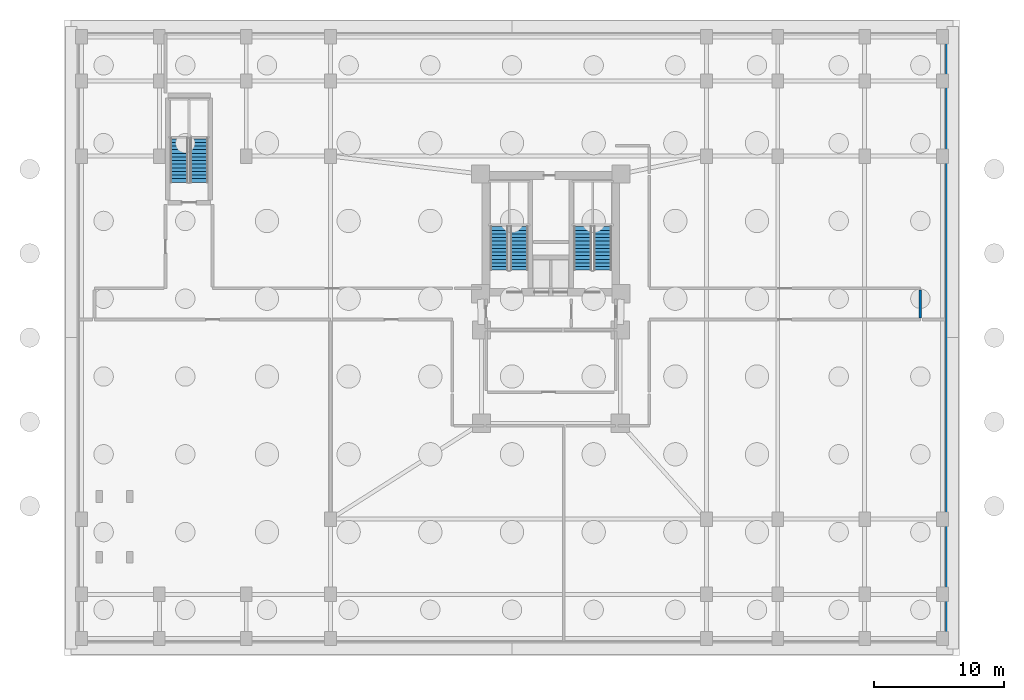
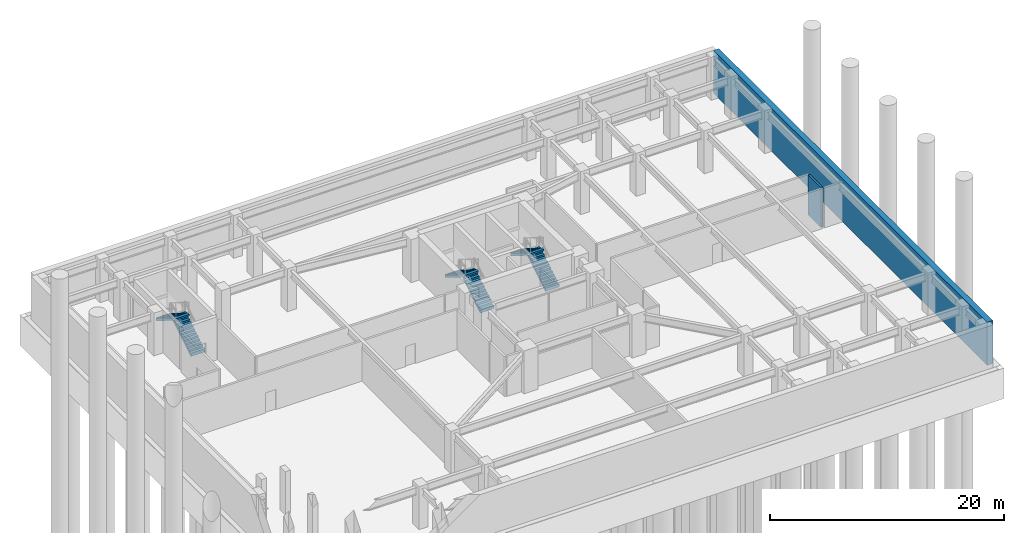
# One storey, part 5 of 7: 6 stair flights, 2 walls, 3 elements without a shape of their own.
"""IFC4 building model written with IfcOpenShell, lengths in metres."""

import ifcopenshell
import ifcopenshell.guid

model = None  # the IFC model being written
_history = None  # IfcOwnerHistory: only IFC2X3 demands one
_inside = {}  # id of a spatial element -> (the spatial element, [elements in it])
_under = {}  # id of a project, library or spatial element -> (it, [spatial elements below it])
_declared = {}  # id of a project -> (the project, [libraries it declares])
_typed = {}  # id of a type object -> (the type object, [elements of that type])
_made_of = {}  # id of a material, layer set ... -> (it, [elements and type objects made of it])


def new_model(schema):
    """Start an empty IFC model of exactly this schema.

    Asked for "IFC4X3", IfcOpenShell would pick the latest addendum, in which some entities
    have other attributes; the version numbers below select the first issue.
    IFC2X3 requires an IfcOwnerHistory on every rooted entity: one is made here for all.
    """
    global model, _history
    if schema == "IFC4X3":
        model = ifcopenshell.file(schema_version=(4, 3, 0, 0))
    else:
        model = ifcopenshell.file(schema=schema)
    _inside.clear()
    _under.clear()
    _declared.clear()
    _typed.clear()
    _made_of.clear()
    _history = None
    if model.schema == "IFC2X3":
        org = make("IfcOrganization", Name="unknown")
        user = make(
            "IfcPersonAndOrganization",
            ThePerson=make("IfcPerson", FamilyName="unknown"),
            TheOrganization=org,
        )
        app = make(
            "IfcApplication",
            ApplicationDeveloper=org,
            Version="unknown",
            ApplicationFullName="unknown",
            ApplicationIdentifier="unknown",
        )
        _history = make(
            "IfcOwnerHistory",
            OwningUser=user,
            OwningApplication=app,
            ChangeAction="ADDED",
            CreationDate=0,
        )
    return model


def make(cls, **values):
    """One entity of the class cls with the attributes given. An attribute that is None is left unset."""
    return model.create_entity(
        cls, **{name: value for name, value in values.items() if value is not None}
    )


def rooted(cls, **values):
    """An entity with a GlobalId (a new one), such as an element, a storey or a relation."""
    return make(cls, GlobalId=ifcopenshell.guid.new(), OwnerHistory=_history, **values)


def si_unit(unit_type, name, prefix=None):
    """IfcSIUnit, for example si_unit("LENGTHUNIT", "METRE", prefix="MILLI")."""
    return make("IfcSIUnit", UnitType=unit_type, Prefix=prefix, Name=name)


def assignment(units):
    """IfcUnitAssignment: the units of a project."""
    return None if units is None else make("IfcUnitAssignment", Units=units)


def point(xyz):
    """IfcCartesianPoint."""
    return None if xyz is None else make("IfcCartesianPoint", Coordinates=xyz)


def direction(xyz):
    """IfcDirection."""
    return None if xyz is None else make("IfcDirection", DirectionRatios=xyz)


def frame(location, z_axis=None, x_axis=None):
    """IfcAxis2Placement3D, a coordinate frame: its origin and axes. An axis left out is left unset."""
    return make(
        "IfcAxis2Placement3D",
        Location=point(location),
        Axis=direction(z_axis),
        RefDirection=direction(x_axis),
    )


def frame_2d(location, x_axis=None):
    """IfcAxis2Placement2D, a coordinate frame in the plane: its origin and x axis."""
    return make(
        "IfcAxis2Placement2D", Location=point(location), RefDirection=direction(x_axis)
    )


def origin():
    """The frame at (0, 0, 0) with its axes left unset."""
    return frame((0.0, 0.0, 0.0))


def place(relative_to, where):
    """IfcLocalPlacement: puts the frame where relative to a parent placement (None: the world)."""
    return make(
        "IfcLocalPlacement", PlacementRelTo=relative_to, RelativePlacement=where
    )


def context(
    kind, dimensions, precision=None, world=None, true_north=None, identifier=None
):
    """IfcGeometricRepresentationContext, for example the 3D "Model" context."""
    return make(
        "IfcGeometricRepresentationContext",
        ContextIdentifier=identifier,
        ContextType=kind,
        CoordinateSpaceDimension=dimensions,
        Precision=precision,
        WorldCoordinateSystem=world,
        TrueNorth=true_north,
    )


def subcontext(parent, identifier, kind, view, scale=None):
    """IfcGeometricRepresentationSubContext, for example "Body" below "Model"."""
    return make(
        "IfcGeometricRepresentationSubContext",
        ContextIdentifier=identifier,
        ContextType=kind,
        ParentContext=parent,
        TargetScale=scale,
        TargetView=view,
    )


def project(units=None, contexts=None):
    """IfcProject with its units and contexts."""
    return rooted(
        "IfcProject",
        Name="project",
        RepresentationContexts=contexts,
        UnitsInContext=assignment(units),
    )


def spatial(cls, under=None, at=None, **own):
    """A site, building, storey or space (cls), placed at a placement, below another one or the project."""
    s = rooted(cls, ObjectPlacement=at, **own)
    if under is not None:
        _under.setdefault(under.id(), (under, []))[1].append(s)
    return s


def polyline(points):
    """IfcPolyline through the points."""
    return make("IfcPolyline", Points=[point(p) for p in points])


def profile(cls, at=None, kind="AREA", **sizes):
    """A parametric profile (cls). Its sizes go by their IFC names, for example OverallWidth=200.0."""
    return make(cls, ProfileType=kind, Position=at, **sizes)


def rectangle(**sizes):
    """IfcRectangleProfileDef."""
    return profile("IfcRectangleProfileDef", **sizes)


def outline(outer, holes=None, kind="AREA"):
    """IfcArbitraryClosedProfileDef: a profile drawn as a closed curve; with holes, ...WithVoids."""
    if holes is None:
        return make("IfcArbitraryClosedProfileDef", ProfileType=kind, OuterCurve=outer)
    return make(
        "IfcArbitraryProfileDefWithVoids",
        ProfileType=kind,
        OuterCurve=outer,
        InnerCurves=holes,
    )


def extrude(swept, where, along, depth):
    """IfcExtrudedAreaSolid: the profile swept, set in the frame where, extruded along a direction by depth."""
    return make(
        "IfcExtrudedAreaSolid",
        SweptArea=swept,
        Position=where,
        ExtrudedDirection=direction(along),
        Depth=depth,
    )


def shape(context_of_items, identifier, shape_type, items):
    """IfcShapeRepresentation: the items that make up one representation, for example the "Body"."""
    return make(
        "IfcShapeRepresentation",
        ContextOfItems=context_of_items,
        RepresentationIdentifier=identifier,
        RepresentationType=shape_type,
        Items=items,
    )


def material(Name=None, Category=None):
    """IfcMaterial."""
    return make("IfcMaterial", Name=Name, Category=Category)


def layer(
    of_material, thickness, ventilated=None, Name=None, Category=None, Priority=None
):
    """IfcMaterialLayer: one layer of a wall or slab, of a material (None: an air gap)."""
    return make(
        "IfcMaterialLayer",
        Material=of_material,
        LayerThickness=thickness,
        IsVentilated=ventilated,
        Name=Name,
        Category=Category,
        Priority=Priority,
    )


def layer_set(layers, Name=None):
    """IfcMaterialLayerSet."""
    return make("IfcMaterialLayerSet", MaterialLayers=layers, LayerSetName=Name)


def made_of(thing, what):
    """Note that an element or type object is made of a material, layer set ...; save() writes the relation."""
    if what is not None:
        _made_of.setdefault(what.id(), (what, []))[1].append(thing)
    return thing


def type_object(cls, material=None, **own):
    """A type object (cls), such as IfcWallType, which elements share."""
    return made_of(rooted(cls, **own), material)


def element(
    cls,
    number,
    at=None,
    inside=None,
    cuts=None,
    type_object=None,
    material=None,
    context=None,
    identifier="Body",
    shape_type=None,
    held_by="IfcProductDefinitionShape",
    body=None,
    shapes=None,
    **own,
):
    """One element of the class cls, such as IfcWall. Its Tag is "e" and its number.

    at: its placement. inside: the storey or other place that contains it. cuts: it is an
    opening in that element (IfcRelVoidsElement). A single representation is given by context,
    identifier, shape_type and body (its items); several are given by shapes. held_by: the class
    of the entity that holds the representations. save() writes the other relations.
    """
    e = rooted(cls, Tag="e%d" % number, ObjectPlacement=at, **own)
    if body is not None:
        shapes = [shape(context, identifier, shape_type, body)]
    if shapes is not None:
        e.Representation = make(held_by, Representations=shapes)
    if inside is not None:
        _inside.setdefault(inside.id(), (inside, []))[1].append(e)
    if cuts is not None:
        rooted(
            "IfcRelVoidsElement", RelatingBuildingElement=cuts, RelatedOpeningElement=e
        )
    if type_object is not None:
        _typed.setdefault(type_object.id(), (type_object, []))[1].append(e)
    return made_of(e, material)


def aggregate(whole, parts):
    """IfcRelAggregates: a whole, such as a stair, and the parts it consists of."""
    return rooted("IfcRelAggregates", RelatingObject=whole, RelatedObjects=parts)


def save(model, path):
    """Write the relations noted so far, then the file.

    IfcRelAggregates (storeys below a building ...), IfcRelContainedInSpatialStructure (elements
    in a storey), IfcRelDefinesByType, IfcRelAssociatesMaterial and IfcRelDeclares: one each for
    every whole, place, type object, material and project.
    """
    for whole, parts in _under.values():
        aggregate(whole, parts)
    for where, things in _inside.values():
        rooted(
            "IfcRelContainedInSpatialStructure",
            RelatedElements=things,
            RelatingStructure=where,
        )
    for kind, things in _typed.values():
        rooted("IfcRelDefinesByType", RelatedObjects=things, RelatingType=kind)
    for what, things in _made_of.values():
        rooted("IfcRelAssociatesMaterial", RelatedObjects=things, RelatingMaterial=what)
    for by, libraries in _declared.values():
        rooted("IfcRelDeclares", RelatingContext=by, RelatedDefinitions=libraries)
    model.write(path)


model = new_model("IFC4")

# Units and contexts
model_context = context("Model", 3, precision=1e-05, world=origin(), true_north=direction((0.0, 1.0)))
body_context = subcontext(model_context, "Body", "Model", "MODEL_VIEW")
ifc_project = project(units=[si_unit("LENGTHUNIT", "METRE"), si_unit("AREAUNIT", "SQUARE_METRE"), si_unit("VOLUMEUNIT", "CUBIC_METRE"), si_unit("PLANEANGLEUNIT", "RADIAN"), si_unit("MASSUNIT", "GRAM", prefix="KILO")], contexts=[model_context])

# Site, building, storey
site_placement = place(None, origin())
site = spatial("IfcSite", under=ifc_project, at=site_placement, CompositionType="ELEMENT")
building_placement = place(site_placement, origin())
building = spatial("IfcBuilding", under=site, at=building_placement, Name="Varnakorn Sky Granary", CompositionType="ELEMENT")
storey_placement = place(building_placement, frame((0.0, 0.0, -13.5)))
storey = spatial("IfcBuildingStorey", under=building, at=storey_placement, Name="B03", CompositionType="ELEMENT", Elevation=-13.5)

# Walls
ifc_material_1 = material(Name="Autoclaved Aerated Concrete Blockwork", Category="masonry")
ifc_layer_1 = layer(ifc_material_1, 0.199951171875, Name="Autoclaved Aerated Concrete Blockwork")
ifc_layer_set_1 = layer_set([ifc_layer_1], Name="Autoclaved Aerated Concrete Blockwork")
wall_type_1 = type_object("IfcWallType", Name="WT-FIRE-200", PredefinedType="MOVABLE", material=ifc_layer_set_1)
wall_1_placement = place(storey_placement, frame((31.5, 1.510009765625, 0.0), z_axis=(0.0, 0.0, 1.0), x_axis=(0.0, 1.0, 0.0)))
element("IfcWall", 1, at=wall_1_placement, inside=storey, type_object=wall_type_1, Name="Interior Partition Wall B03-031", PredefinedType="MOVABLE", context=body_context, shape_type="SweptSolid", body=[
    extrude(rectangle(XDim=2.179931640625, YDim=0.199951171875, at=frame_2d((1.08984375, 0.0))), origin(), (0.0, 0.0, 1.0), 4.179931640625),
])
ifc_material_2 = material(Name="Concrete C50/60", Category="concrete")
ifc_layer_2 = layer(ifc_material_2, 0.550048828125, Name="Concrete C50/60")
ifc_layer_set_2 = layer_set([ifc_layer_2], Name="Concrete C50/60")
wall_type_2 = type_object("IfcWallType", Name="WT-RW-BSMT-550", PredefinedType="SOLIDWALL", material=ifc_layer_set_2)
wall_2_placement = place(storey_placement, frame((33.72509765625, -23.43994140625, 0.0), z_axis=(0.0, 0.0, 1.0), x_axis=(0.0, 1.0, 0.0)))
element("IfcWall", 2, at=wall_2_placement, inside=storey, type_object=wall_type_2, Name="Basement Perimeter Retaining Wall B03-E", PredefinedType="SOLIDWALL", context=body_context, shape_type="SweptSolid", body=[
    extrude(rectangle(XDim=46.8798828125, YDim=0.550048828125, at=frame_2d((23.43994140625, 0.0))), origin(), (0.0, 0.0, 1.0), 4.491943359375),
])

# Stair, stair flights
ifc_material_3 = material(Name="Concrete C40/50", Category="concrete")
stair_type = type_object("IfcStairType", Name="ST-MAIN-ASSEMBLY", PredefinedType="HALF_TURN_STAIR", material=ifc_material_3)
stair_1_placement = place(storey_placement, origin())
stair_1 = element("IfcStair", 3, at=stair_1_placement, inside=storey, type_object=stair_type, Name="B03 Protected Exit Stair ST-1", PredefinedType="HALF_TURN_STAIR")
stair_flight_type = type_object("IfcStairFlightType", Name="ST-MAIN-FLIGHT", PredefinedType="STRAIGHT", material=ifc_material_3)
stair_flight_1_placement = place(storey_placement, frame((0.550048828125, 5.199951171875, 0.0), z_axis=(0.0, 0.0, 1.0), x_axis=(0.0, 1.0, 0.0)))
stair_flight_1 = element("IfcStairFlight", 4, at=stair_flight_1_placement, type_object=stair_flight_type, Name="ST-1 flight 1", NumberOfRisers=13, NumberOfTreads=12, PredefinedType="STRAIGHT", RiserHeight=0.173076923, TreadLength=0.28, context=body_context, shape_type="SweptSolid", body=[
    extrude(outline(polyline([(0.0, -0.14990234375), (0.0, 0.0), (0.0, 0.173095703125), (0.280029296875, 0.173095703125), (0.280029296875, 0.34619140625), (0.56005859375, 0.34619140625), (0.56005859375, 0.519287109375), (0.840087890625, 0.519287109375), (0.840087890625, 0.6923828125), (1.1201171875, 0.6923828125), (1.1201171875, 0.865478515625), (1.39990234375, 0.865478515625), (1.39990234375, 1.03857421875), (1.679931640625, 1.03857421875), (1.679931640625, 1.21142578125), (1.9599609375, 1.21142578125), (1.9599609375, 1.384521484375), (2.239990234375, 1.384521484375), (2.239990234375, 1.5576171875), (2.52001953125, 1.5576171875), (2.52001953125, 1.730712890625), (2.800048828125, 1.730712890625), (2.800048828125, 1.90380859375), (3.080078125, 1.90380859375), (3.080078125, 2.076904296875), (3.360107421875, 2.076904296875), (3.360107421875, 2.25), (3.360107421875, 1.900634765625), (0.050048828125, -0.14990234375), (0.0, -0.14990234375)])), frame((0.0, 0.68994140625, 0.0), z_axis=(0.0, -1.0, 0.0), x_axis=(1.0, 0.0, 0.0)), (0.0, 0.0, 1.0), 1.3798828125),
])
stair_flight_2_placement = place(storey_placement, frame((-0.97998046875, 8.56005859375, 2.25), z_axis=(0.0, 0.0, 1.0), x_axis=(0.0, -1.0, 0.0)))
stair_flight_2 = element("IfcStairFlight", 5, at=stair_flight_2_placement, type_object=stair_flight_type, Name="ST-1 flight 2", NumberOfRisers=13, NumberOfTreads=12, PredefinedType="STRAIGHT", RiserHeight=0.173076923, TreadLength=0.28, context=body_context, shape_type="SweptSolid", body=[
    extrude(outline(polyline([(0.0, -0.14990234375), (0.0, 0.0), (0.0, 0.173095703125), (0.280029296875, 0.173095703125), (0.280029296875, 0.34619140625), (0.56005859375, 0.34619140625), (0.56005859375, 0.519287109375), (0.840087890625, 0.519287109375), (0.840087890625, 0.6923828125), (1.1201171875, 0.6923828125), (1.1201171875, 0.865478515625), (1.39990234375, 0.865478515625), (1.39990234375, 1.03857421875), (1.679931640625, 1.03857421875), (1.679931640625, 1.21142578125), (1.9599609375, 1.21142578125), (1.9599609375, 1.384521484375), (2.239990234375, 1.384521484375), (2.239990234375, 1.5576171875), (2.52001953125, 1.5576171875), (2.52001953125, 1.730712890625), (2.800048828125, 1.730712890625), (2.800048828125, 1.90380859375), (3.080078125, 1.90380859375), (3.080078125, 2.076904296875), (3.360107421875, 2.076904296875), (3.360107421875, 2.25), (3.360107421875, 1.900634765625), (0.050048828125, -0.14990234375), (0.0, -0.14990234375)])), frame((0.0, 0.68994140625, 0.0), z_axis=(0.0, -1.0, 0.0), x_axis=(1.0, 0.0, 0.0)), (0.0, 0.0, 1.0), 1.3798828125),
])
aggregate(stair_1, [stair_flight_1, stair_flight_2])

stair_2_placement = place(storey_placement, origin())
stair_2 = element("IfcStair", 6, at=stair_2_placement, inside=storey, type_object=stair_type, Name="B03 Protected Exit Stair ST-2", PredefinedType="HALF_TURN_STAIR")
stair_flight_3_placement = place(storey_placement, frame((6.989990234375, 5.199951171875, 0.0), z_axis=(0.0, 0.0, 1.0), x_axis=(0.0, 1.0, 0.0)))
stair_flight_3 = element("IfcStairFlight", 7, at=stair_flight_3_placement, type_object=stair_flight_type, Name="ST-2 flight 1", NumberOfRisers=13, NumberOfTreads=12, PredefinedType="STRAIGHT", RiserHeight=0.173076923, TreadLength=0.28, context=body_context, shape_type="SweptSolid", body=[
    extrude(outline(polyline([(0.0, -0.14990234375), (0.0, 0.0), (0.0, 0.173095703125), (0.280029296875, 0.173095703125), (0.280029296875, 0.34619140625), (0.56005859375, 0.34619140625), (0.56005859375, 0.519287109375), (0.840087890625, 0.519287109375), (0.840087890625, 0.6923828125), (1.1201171875, 0.6923828125), (1.1201171875, 0.865478515625), (1.39990234375, 0.865478515625), (1.39990234375, 1.03857421875), (1.679931640625, 1.03857421875), (1.679931640625, 1.21142578125), (1.9599609375, 1.21142578125), (1.9599609375, 1.384521484375), (2.239990234375, 1.384521484375), (2.239990234375, 1.5576171875), (2.52001953125, 1.5576171875), (2.52001953125, 1.730712890625), (2.800048828125, 1.730712890625), (2.800048828125, 1.90380859375), (3.080078125, 1.90380859375), (3.080078125, 2.076904296875), (3.360107421875, 2.076904296875), (3.360107421875, 2.25), (3.360107421875, 1.900634765625), (0.050048828125, -0.14990234375), (0.0, -0.14990234375)])), frame((0.0, 0.68994140625, 0.0), z_axis=(0.0, -1.0, 0.0), x_axis=(1.0, 0.0, 0.0)), (0.0, 0.0, 1.0), 1.3798828125),
])
stair_flight_4_placement = place(storey_placement, frame((5.4599609375, 8.56005859375, 2.25), z_axis=(0.0, 0.0, 1.0), x_axis=(0.0, -1.0, 0.0)))
stair_flight_4 = element("IfcStairFlight", 8, at=stair_flight_4_placement, type_object=stair_flight_type, Name="ST-2 flight 2", NumberOfRisers=13, NumberOfTreads=12, PredefinedType="STRAIGHT", RiserHeight=0.173076923, TreadLength=0.28, context=body_context, shape_type="SweptSolid", body=[
    extrude(outline(polyline([(0.0, -0.14990234375), (0.0, 0.0), (0.0, 0.173095703125), (0.280029296875, 0.173095703125), (0.280029296875, 0.34619140625), (0.56005859375, 0.34619140625), (0.56005859375, 0.519287109375), (0.840087890625, 0.519287109375), (0.840087890625, 0.6923828125), (1.1201171875, 0.6923828125), (1.1201171875, 0.865478515625), (1.39990234375, 0.865478515625), (1.39990234375, 1.03857421875), (1.679931640625, 1.03857421875), (1.679931640625, 1.21142578125), (1.9599609375, 1.21142578125), (1.9599609375, 1.384521484375), (2.239990234375, 1.384521484375), (2.239990234375, 1.5576171875), (2.52001953125, 1.5576171875), (2.52001953125, 1.730712890625), (2.800048828125, 1.730712890625), (2.800048828125, 1.90380859375), (3.080078125, 1.90380859375), (3.080078125, 2.076904296875), (3.360107421875, 2.076904296875), (3.360107421875, 2.25), (3.360107421875, 1.900634765625), (0.050048828125, -0.14990234375), (0.0, -0.14990234375)])), frame((0.0, 0.68994140625, 0.0), z_axis=(0.0, -1.0, 0.0), x_axis=(1.0, 0.0, 0.0)), (0.0, 0.0, 1.0), 1.3798828125),
])
aggregate(stair_2, [stair_flight_3, stair_flight_4])

stair_3_placement = place(storey_placement, origin())
stair_3 = element("IfcStair", 9, at=stair_3_placement, inside=storey, type_object=stair_type, Name="B03 Podium and Basement Protected Exit Stair ST-B3", PredefinedType="HALF_TURN_STAIR")
stair_flight_5_placement = place(storey_placement, frame((-24.139892578125, 11.97998046875, 0.0), z_axis=(0.0, 0.0, 1.0), x_axis=(0.0, 1.0, 0.0)))
stair_flight_5 = element("IfcStairFlight", 10, at=stair_flight_5_placement, type_object=stair_flight_type, Name="ST-B3 flight 1", NumberOfRisers=13, NumberOfTreads=12, PredefinedType="STRAIGHT", RiserHeight=0.173076923, TreadLength=0.28, context=body_context, shape_type="SweptSolid", body=[
    extrude(outline(polyline([(0.0, -0.14990234375), (0.0, 0.0), (0.0, 0.173095703125), (0.280029296875, 0.173095703125), (0.280029296875, 0.34619140625), (0.56005859375, 0.34619140625), (0.56005859375, 0.519287109375), (0.840087890625, 0.519287109375), (0.840087890625, 0.6923828125), (1.1201171875, 0.6923828125), (1.1201171875, 0.865478515625), (1.39990234375, 0.865478515625), (1.39990234375, 1.03857421875), (1.679931640625, 1.03857421875), (1.679931640625, 1.21142578125), (1.9599609375, 1.21142578125), (1.9599609375, 1.384521484375), (2.239990234375, 1.384521484375), (2.239990234375, 1.5576171875), (2.52001953125, 1.5576171875), (2.52001953125, 1.730712890625), (2.800048828125, 1.730712890625), (2.800048828125, 1.90380859375), (3.080078125, 1.90380859375), (3.080078125, 2.076904296875), (3.360107421875, 2.076904296875), (3.360107421875, 2.25), (3.360107421875, 1.900634765625), (0.050048828125, -0.14990234375), (0.0, -0.14990234375)])), frame((0.0, 0.68994140625, 0.0), z_axis=(0.0, -1.0, 0.0), x_axis=(1.0, 0.0, 0.0)), (0.0, 0.0, 1.0), 1.3798828125),
])
stair_flight_6_placement = place(storey_placement, frame((-25.669921875, 15.340087890625, 2.25), z_axis=(0.0, 0.0, 1.0), x_axis=(0.0, -1.0, 0.0)))
stair_flight_6 = element("IfcStairFlight", 11, at=stair_flight_6_placement, type_object=stair_flight_type, Name="ST-B3 flight 2", NumberOfRisers=13, NumberOfTreads=12, PredefinedType="STRAIGHT", RiserHeight=0.173076923, TreadLength=0.28, context=body_context, shape_type="SweptSolid", body=[
    extrude(outline(polyline([(0.0, -0.14990234375), (0.0, 0.0), (0.0, 0.173095703125), (0.280029296875, 0.173095703125), (0.280029296875, 0.34619140625), (0.56005859375, 0.34619140625), (0.56005859375, 0.519287109375), (0.840087890625, 0.519287109375), (0.840087890625, 0.6923828125), (1.1201171875, 0.6923828125), (1.1201171875, 0.865478515625), (1.39990234375, 0.865478515625), (1.39990234375, 1.03857421875), (1.679931640625, 1.03857421875), (1.679931640625, 1.21142578125), (1.9599609375, 1.21142578125), (1.9599609375, 1.384521484375), (2.239990234375, 1.384521484375), (2.239990234375, 1.5576171875), (2.52001953125, 1.5576171875), (2.52001953125, 1.730712890625), (2.800048828125, 1.730712890625), (2.800048828125, 1.90380859375), (3.080078125, 1.90380859375), (3.080078125, 2.076904296875), (3.360107421875, 2.076904296875), (3.360107421875, 2.25), (3.360107421875, 1.900634765625), (0.050048828125, -0.14990234375), (0.0, -0.14990234375)])), frame((0.0, 0.68994140625, 0.0), z_axis=(0.0, -1.0, 0.0), x_axis=(1.0, 0.0, 0.0)), (0.0, 0.0, 1.0), 1.3798828125),
])
aggregate(stair_3, [stair_flight_5, stair_flight_6])

save(model, "model.ifc")
